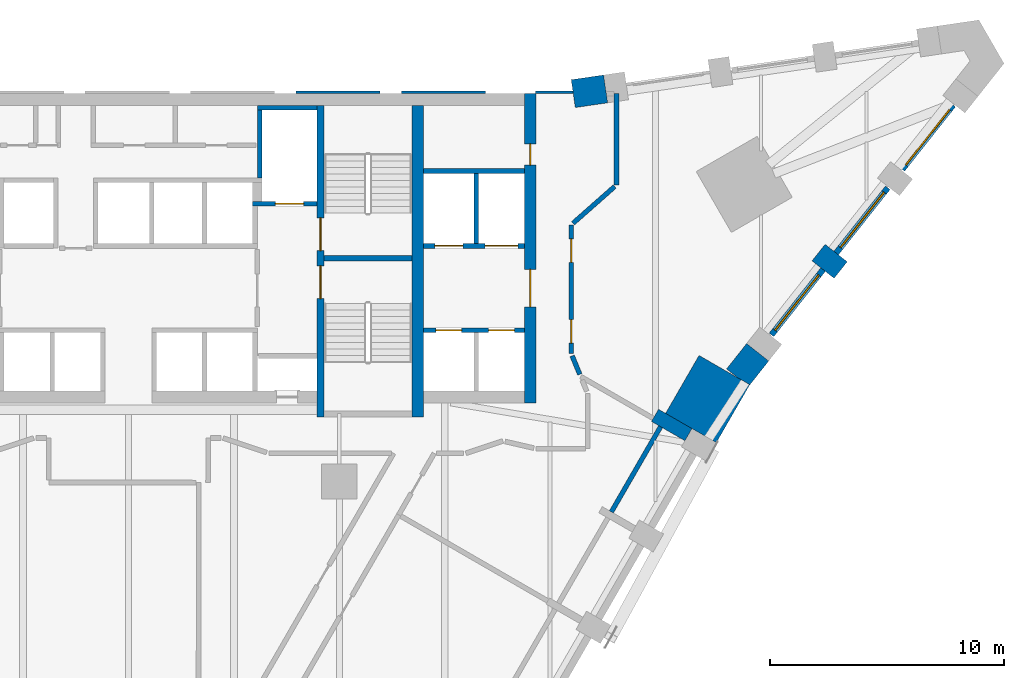
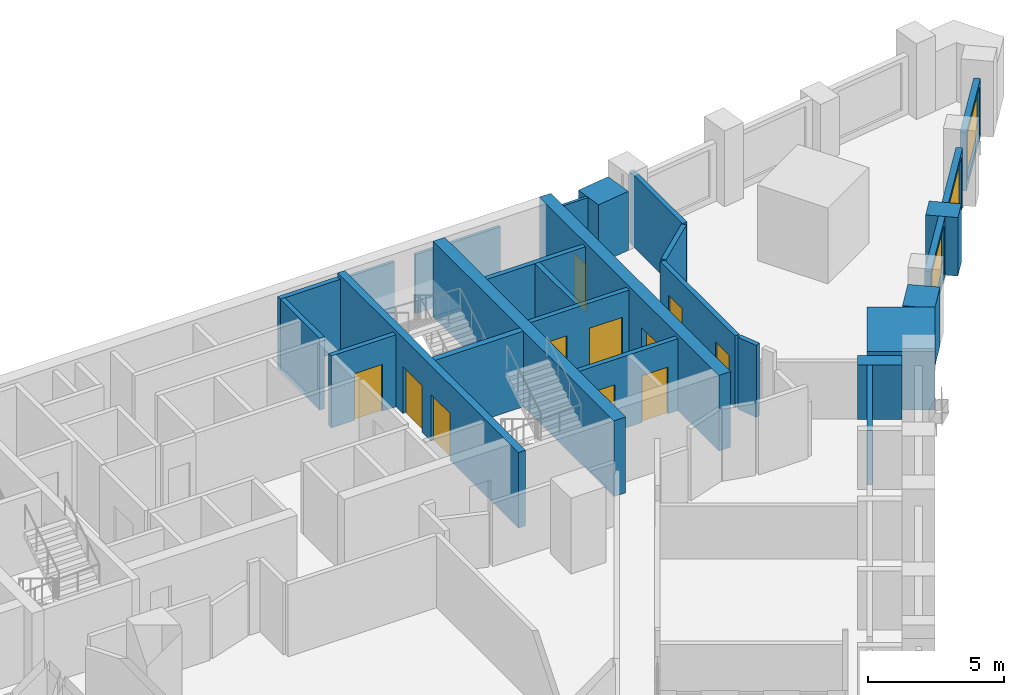
# One storey, part 8 of 10: 27 walls, 11 doors, 3 windows, 14 openings.
"""IFC4 building model written with IfcOpenShell, lengths in metres."""

from ifc_helpers import new_model, si_unit, direction, frame, frame_2d, origin, place, context, subcontext, project, spatial, polyline, rectangle, outline, extrude, material, layer, layer_set, type_object, element, fill, save


model = new_model("IFC4")

# Units and contexts
model_context = context("Model", 3, precision=1e-05, world=origin(), true_north=direction((0.0, 1.0)))
body_context = subcontext(model_context, "Body", "Model", "MODEL_VIEW")
ifc_project = project(units=[si_unit("LENGTHUNIT", "METRE"), si_unit("AREAUNIT", "SQUARE_METRE"), si_unit("VOLUMEUNIT", "CUBIC_METRE"), si_unit("PLANEANGLEUNIT", "RADIAN"), si_unit("MASSUNIT", "GRAM", prefix="KILO")], contexts=[model_context])

# Site, building, storey
site_placement = place(None, origin())
site = spatial("IfcSite", under=ifc_project, at=site_placement, CompositionType="ELEMENT")
building_placement = place(site_placement, origin())
building = spatial("IfcBuilding", under=site, at=building_placement, Name="Calabash Gate Tower", CompositionType="ELEMENT")
storey_placement = place(building_placement, frame((0.0, 0.0, 91.800048828125)))
storey = spatial("IfcBuildingStorey", under=building, at=storey_placement, Name="L19", CompositionType="ELEMENT", Elevation=91.800048828125)

# Walls
ifc_material_1 = material(Name="Terracotta brick masonry, exposed face", Category="masonry")
ifc_layer_1 = layer(ifc_material_1, 2.5)
ifc_layer_set_1 = layer_set([ifc_layer_1], Name="Brick corner mass wall 2500")
wall_type_1 = type_object("IfcWallType", Name="Brick corner mass wall 2500", PredefinedType="SOLIDWALL", material=ifc_layer_set_1)
wall_1_placement = place(storey_placement, origin())
element("IfcWall", 1, at=wall_1_placement, inside=storey, type_object=wall_type_1, Name="Brick corner pier S05 2", PredefinedType="SOLIDWALL", context=body_context, shape_type="SweptSolid", body=[
    extrude(outline(polyline([(22.927001953125, 5.405517578125), (25.092041015625, 4.155517578125), (26.51953125, 6.628173828125), (24.3544921875, 7.878173828125), (22.927001953125, 5.405517578125)])), origin(), (0.0, 0.0, 1.0), 2.6298828125),
])
ifc_material_2 = material(Name="Terracotta brick masonry, exposed face", Category="masonry")
ifc_layer_2 = layer(ifc_material_2, 1.199951171875)
ifc_layer_set_2 = layer_set([ifc_layer_2], Name="Brick end wall 1200")
wall_type_2 = type_object("IfcWallType", Name="Brick end wall 1200", PredefinedType="SOLIDWALL", material=ifc_layer_set_2)
wall_2_placement = place(storey_placement, frame((30.398193359375, 11.5224609375, 0.0), z_axis=(0.0, 0.0, 1.0), x_axis=(-0.784330409431, 0.620343299184, 0.0)))
element("IfcWall", 2, at=wall_2_placement, inside=storey, type_object=wall_type_2, Name="Brick pier S05 wedge3.1", PredefinedType="SOLIDWALL", context=body_context, shape_type="SweptSolid", body=[
    extrude(rectangle(XDim=1.199951171875, YDim=0.89990234375, at=frame_2d((0.60009765625, 0.0))), origin(), (0.0, 0.0, 1.0), 2.6298828125),
])
wall_3_placement = place(storey_placement, origin())
element("IfcWall", 3, at=wall_3_placement, inside=storey, type_object=wall_type_2, Name="Brick end wall S05 1", PredefinedType="SOLIDWALL", context=body_context, shape_type="SweptSolid", body=[
    extrude(outline(polyline([(26.386474609375, 8.38427734375), (25.529296875, 7.30029296875), (26.0, 6.92822265625), (26.51953125, 6.628173828125), (26.497802734375, 6.59033203125), (27.32763671875, 7.639892578125), (26.386474609375, 8.38427734375)])), origin(), (0.0, 0.0, 1.0), 2.6298828125),
])
wall_4_placement = place(storey_placement, frame((18.98583984375, 19.050537109375, 0.0), z_axis=(0.0, 0.0, 1.0), x_axis=(0.989435994601, 0.144970385211, 0.0)))
element("IfcWall", 4, at=wall_4_placement, inside=storey, type_object=wall_type_2, Name="Brick end wall S05 3", PredefinedType="SOLIDWALL", context=body_context, shape_type="SweptSolid", body=[
    extrude(rectangle(XDim=1.39599609375, YDim=1.199951171875, at=frame_2d((0.697998046875, 0.0))), origin(), (0.0, 0.0, 1.0), 2.64990234375),
])
ifc_material_3 = material(Name="Terracotta brick masonry, exposed face", Category="masonry")
ifc_layer_3 = layer(ifc_material_3, 0.300048828125)
ifc_layer_set_3 = layer_set([ifc_layer_3], Name="Brick loggia cheek wall 300")
wall_type_3 = type_object("IfcWallType", Name="Brick loggia cheek wall 300", PredefinedType="SOLIDWALL", material=ifc_layer_set_3)
wall_5_placement = place(storey_placement, frame((22.473876953125, 5.32080078125, 0.0), z_axis=(0.0, 0.0, 1.0), x_axis=(0.866040211805, -0.499974350878, 0.0)))
element("IfcWall", 5, at=wall_5_placement, inside=storey, type_object=wall_type_3, Name="Loggia cheek S05 SE2.8", PredefinedType="SOLIDWALL", context=body_context, shape_type="SweptSolid", body=[
    extrude(rectangle(XDim=1.64990234375, YDim=0.60009765625, at=frame_2d((0.824951171875, 0.0))), origin(), (0.0, 0.0, 1.0), 2.449951171875),
])
ifc_material_4 = material(Name="Concrete C80/95", Category="concrete")
ifc_layer_4 = layer(ifc_material_4, 0.25)
ifc_layer_set_4 = layer_set([ifc_layer_4], Name="Core wall 250 Concrete C80/95")
wall_type_4 = type_object("IfcWallType", Name="Core wall 250 Concrete C80/95", PredefinedType="SHEAR", material=ifc_layer_set_4)
wall_6_placement = place(storey_placement, frame((8.35009765625, 12.027587890625, 0.0), z_axis=(0.0, 0.0, 1.0), x_axis=(1.0, 0.0, 0.0)))
element("IfcWall", 6, at=wall_6_placement, inside=storey, type_object=wall_type_4, Name="Core wall Z2-MIDE L19", PredefinedType="SHEAR", context=body_context, shape_type="SweptSolid", body=[
    extrude(rectangle(XDim=3.75, YDim=0.25, at=frame_2d((1.875, 0.0))), origin(), (0.0, 0.0, 1.0), 3.39990234375),
])

# Wall, openings, doors
ifc_material_5 = material(Name="Concrete C80/95", Category="concrete")
ifc_layer_5 = layer(ifc_material_5, 0.300048828125)
ifc_layer_set_5 = layer_set([ifc_layer_5], Name="Core wall 300 Concrete C80/95")
wall_type_5 = type_object("IfcWallType", Name="Core wall 300 Concrete C80/95", PredefinedType="SHEAR", material=ifc_layer_set_5)
wall_7_placement = place(storey_placement, frame((8.199951171875, 5.252685546875, 0.0), z_axis=(0.0, 0.0, 1.0), x_axis=(0.0, 1.0, 0.0)))
wall_7 = element("IfcWall", 7, at=wall_7_placement, inside=storey, type_object=wall_type_5, Name="Core wall Z2-PARTE L19", PredefinedType="SHEAR", context=body_context, shape_type="SweptSolid", body=[
    extrude(rectangle(XDim=13.2998046875, YDim=0.300048828125, at=frame_2d((6.64990234375, 0.0))), origin(), (0.0, 0.0, 1.0), 3.39990234375),
])
opening_1_placement = place(wall_7_placement, frame((7.10009765625, 0.0, 0.0)))
opening_1 = element("IfcOpeningElement", 8, at=opening_1_placement, cuts=wall_7, Name="Opening H5-016", PredefinedType="OPENING", context=body_context, shape_type="SweptSolid", body=[
    extrude(rectangle(XDim=1.39990234375, YDim=2.10009765625, at=frame_2d((0.699951171875, 1.050048828125))), frame((0.0, 0.159912109375, 0.0), z_axis=(0.0, -1.0, 0.0), x_axis=(1.0, 0.0, 0.0)), (0.0, 0.0, 1.0), 0.320068359375),
])
opening_2_placement = place(wall_7_placement, frame((5.050048828125, 0.0, 0.0)))
opening_2 = element("IfcOpeningElement", 9, at=opening_2_placement, cuts=wall_7, Name="Opening H5-017", PredefinedType="OPENING", context=body_context, shape_type="SweptSolid", body=[
    extrude(rectangle(XDim=1.39990234375, YDim=2.10009765625, at=frame_2d((0.699951171875, 1.050048828125))), frame((0.0, 0.159912109375, 0.0), z_axis=(0.0, -1.0, 0.0), x_axis=(1.0, 0.0, 0.0)), (0.0, 0.0, 1.0), 0.320068359375),
])
ifc_material_6 = material(Name="Steel fire door set with fire-resisting glazing", Category="steel")
door_type_1 = type_object("IfcDoorType", Name="Fire door D05 1400x2100 FD90", OperationType="NOTDEFINED", PredefinedType="DOOR", material=ifc_material_6)
door_1_placement = place(opening_1_placement, origin())
door_1 = element("IfcDoor", 10, at=door_1_placement, inside=storey, type_object=door_type_1, Name="Exit stair door ST3", OperationType="SINGLE_SWING_RIGHT", OverallHeight=2.10009765625, OverallWidth=1.39990234375, PredefinedType="DOOR", context=body_context, shape_type="SweptSolid", body=[
    extrude(rectangle(XDim=1.39990234375, YDim=2.10009765625, at=frame_2d((0.699951171875, 1.050048828125))), frame((0.0, 0.02490234375, 0.0), z_axis=(0.0, -1.0, 0.0), x_axis=(1.0, 0.0, 0.0)), (0.0, 0.0, 1.0), 0.050048828125),
])
fill(opening_1, door_1)
door_2_placement = place(opening_2_placement, origin())
door_2 = element("IfcDoor", 11, at=door_2_placement, inside=storey, type_object=door_type_1, Name="Exit stair door ST4", OperationType="SINGLE_SWING_LEFT", OverallHeight=2.10009765625, OverallWidth=1.39990234375, PredefinedType="DOOR", context=body_context, shape_type="SweptSolid", body=[
    extrude(rectangle(XDim=1.39990234375, YDim=2.10009765625, at=frame_2d((0.699951171875, 1.050048828125))), frame((0.0, 0.02490234375, 0.0), z_axis=(0.0, -1.0, 0.0), x_axis=(1.0, 0.0, 0.0)), (0.0, 0.0, 1.0), 0.050048828125),
])
fill(opening_2, door_2)

# Wall
ifc_material_7 = material(Name="Concrete C80/95", Category="concrete")
ifc_layer_6 = layer(ifc_material_7, 0.5)
ifc_layer_set_6 = layer_set([ifc_layer_6], Name="Core wall 500 Concrete C80/95")
wall_type_6 = type_object("IfcWallType", Name="Core wall 500 Concrete C80/95", PredefinedType="SHEAR", material=ifc_layer_set_6)
wall_8_placement = place(storey_placement, frame((12.35009765625, 5.252685546875, 0.0), z_axis=(0.0, 0.0, 1.0), x_axis=(0.0, 1.0, 0.0)))
element("IfcWall", 12, at=wall_8_placement, inside=storey, type_object=wall_type_6, Name="Core wall Z2-COLE L19", PredefinedType="SHEAR", context=body_context, shape_type="SweptSolid", body=[
    extrude(rectangle(XDim=13.2998046875, YDim=0.5, at=frame_2d((6.64990234375, 0.0))), origin(), (0.0, 0.0, 1.0), 3.39990234375),
])

# Wall, openings, doors
wall_9_placement = place(storey_placement, frame((17.14990234375, 5.8525390625, 0.0), z_axis=(0.0, 0.0, 1.0), x_axis=(0.0, 1.0, 0.0)))
wall_9 = element("IfcWall", 13, at=wall_9_placement, inside=storey, type_object=wall_type_6, Name="Core wall Z2-ENDE L19", PredefinedType="SHEAR", context=body_context, shape_type="SweptSolid", body=[
    extrude(rectangle(XDim=13.199951171875, YDim=0.5, at=frame_2d((6.60009765625, 0.0))), origin(), (0.0, 0.0, 1.0), 3.39990234375),
])
opening_3_placement = place(wall_9_placement, frame((4.10009765625, 0.0, 0.0)))
opening_3 = element("IfcOpeningElement", 14, at=opening_3_placement, cuts=wall_9, Name="Opening H5-002", PredefinedType="OPENING", context=body_context, shape_type="SweptSolid", body=[
    extrude(rectangle(XDim=1.60009765625, YDim=2.10009765625, at=frame_2d((0.800048828125, 1.050048828125))), frame((0.0, 0.260009765625, 0.0), z_axis=(0.0, -1.0, 0.0), x_axis=(1.0, 0.0, 0.0)), (0.0, 0.0, 1.0), 0.52001953125),
])
opening_4_placement = place(wall_9_placement, frame((10.14990234375, 0.0, 0.0)))
opening_4 = element("IfcOpeningElement", 15, at=opening_4_placement, cuts=wall_9, Name="Opening H5-001", PredefinedType="OPENING", context=body_context, shape_type="SweptSolid", body=[
    extrude(rectangle(XDim=0.89990234375, YDim=2.10009765625, at=frame_2d((0.449951171875, 1.050048828125))), frame((0.0, 0.260009765625, 0.0), z_axis=(0.0, -1.0, 0.0), x_axis=(1.0, 0.0, 0.0)), (0.0, 0.0, 1.0), 0.52001953125),
])
ifc_material_8 = material(Name="Steel fire door set with fire-resisting glazing", Category="steel")
door_type_2 = type_object("IfcDoorType", Name="Double fire door D08 1600x2100 FD60", OperationType="DOUBLE_DOOR_SINGLE_SWING", PredefinedType="DOOR", material=ifc_material_8)
door_3_placement = place(opening_3_placement, origin())
door_3 = element("IfcDoor", 16, at=door_3_placement, inside=storey, type_object=door_type_2, Name="Low-rise Lift Lobby E door", OperationType="DOUBLE_DOOR_SINGLE_SWING", OverallHeight=2.10009765625, OverallWidth=1.60009765625, PredefinedType="DOOR", context=body_context, shape_type="SweptSolid", body=[
    extrude(rectangle(XDim=1.60009765625, YDim=2.10009765625, at=frame_2d((0.800048828125, 1.050048828125))), frame((0.0, 0.02490234375, 0.0), z_axis=(0.0, -1.0, 0.0), x_axis=(1.0, 0.0, 0.0)), (0.0, 0.0, 1.0), 0.050048828125),
])
fill(opening_3, door_3)
ifc_material_9 = material(Name="Steel fire door set with fire-resisting glazing", Category="steel")
door_type_3 = type_object("IfcDoorType", Name="Fire door D06 900x2100 FD60", OperationType="NOTDEFINED", PredefinedType="DOOR", material=ifc_material_9)
door_4_placement = place(opening_4_placement, origin())
door_4 = element("IfcDoor", 17, at=door_4_placement, inside=storey, type_object=door_type_3, Name="Linen Store door", OperationType="SINGLE_SWING_LEFT", OverallHeight=2.10009765625, OverallWidth=0.89990234375, PredefinedType="DOOR", context=body_context, shape_type="SweptSolid", body=[
    extrude(rectangle(XDim=0.89990234375, YDim=2.10009765625, at=frame_2d((0.449951171875, 1.050048828125))), frame((0.0, 0.02490234375, 0.0), z_axis=(0.0, -1.0, 0.0), x_axis=(1.0, 0.0, 0.0)), (0.0, 0.0, 1.0), 0.050048828125),
])
fill(opening_4, door_4)

# Wall
ifc_material_10 = material(Name="Gypsum board on steel studs, mineral wool", Category="steel")
ifc_layer_7 = layer(ifc_material_10, 0.199951171875)
ifc_layer_set_7 = layer_set([ifc_layer_7], Name="Partition 200 gypsum board EI 60")
wall_type_7 = type_object("IfcWallType", Name="Partition 200 gypsum board EI 60", PredefinedType="PARTITIONING", material=ifc_layer_set_7)
wall_10_placement = place(storey_placement, frame((18.938720703125, 7.860107421875, 0.0), z_axis=(0.0, 0.0, 1.0), x_axis=(0.382057312896, -0.924138631193, 0.0)))
element("IfcWall", 18, at=wall_10_placement, inside=storey, type_object=wall_type_7, Name="Partition", PredefinedType="PARTITIONING", context=body_context, shape_type="SweptSolid", body=[
    extrude(rectangle(XDim=0.854248046875, YDim=0.199951171875, at=frame_2d((0.42724609375, 0.0))), origin(), (0.0, 0.0, 1.0), 3.22998046875),
])

# Wall, openings, doors
wall_11_placement = place(storey_placement, frame((18.900390625, 7.95263671875, 0.0), z_axis=(0.0, 0.0, 1.0), x_axis=(0.0, 1.0, 0.0)))
wall_11 = element("IfcWall", 19, at=wall_11_placement, inside=storey, type_object=wall_type_7, Name="Partition", PredefinedType="PARTITIONING", context=body_context, shape_type="SweptSolid", body=[
    extrude(rectangle(XDim=5.499755859375, YDim=0.199951171875, at=frame_2d((2.75, 0.0))), origin(), (0.0, 0.0, 1.0), 3.22998046875),
])
opening_5_placement = place(wall_11_placement, frame((3.8994140625, 0.0, 0.0)))
opening_5 = element("IfcOpeningElement", 20, at=opening_5_placement, cuts=wall_11, Name="Opening 19-21-022", PredefinedType="OPENING", context=body_context, shape_type="SweptSolid", body=[
    extrude(rectangle(XDim=1.0, YDim=2.10009765625, at=frame_2d((0.5, 1.050048828125))), frame((0.0, 0.10986328125, 0.0), z_axis=(0.0, -1.0, 0.0), x_axis=(1.0, 0.0, 0.0)), (0.0, 0.0, 1.0), 0.219970703125),
])
opening_6_placement = place(wall_11_placement, frame((0.4501953125, 0.0, 0.0)))
opening_6 = element("IfcOpeningElement", 21, at=opening_6_placement, cuts=wall_11, Name="Opening 19-21-023", PredefinedType="OPENING", context=body_context, shape_type="SweptSolid", body=[
    extrude(rectangle(XDim=1.0, YDim=2.10009765625, at=frame_2d((0.5, 1.050048828125))), frame((0.0, 0.10986328125, 0.0), z_axis=(0.0, -1.0, 0.0), x_axis=(1.0, 0.0, 0.0)), (0.0, 0.0, 1.0), 0.219970703125),
])
ifc_material_11 = material(Name="Steel fire door set with fire-resisting glazing", Category="steel")
door_type_4 = type_object("IfcDoorType", Name="LD2 Meeting room door 1000x2100", OperationType="NOTDEFINED", PredefinedType="DOOR", material=ifc_material_11)
door_5_placement = place(opening_5_placement, origin())
door_5 = element("IfcDoor", 22, at=door_5_placement, inside=storey, type_object=door_type_4, Name="Meeting room door", OperationType="SINGLE_SWING_RIGHT", OverallHeight=2.10009765625, OverallWidth=1.0, PredefinedType="DOOR", context=body_context, shape_type="SweptSolid", body=[
    extrude(rectangle(XDim=1.0, YDim=2.10009765625, at=frame_2d((0.5, 1.050048828125))), frame((0.0, 0.02490234375, 0.0), z_axis=(0.0, -1.0, 0.0), x_axis=(1.0, 0.0, 0.0)), (0.0, 0.0, 1.0), 0.050048828125),
])
fill(opening_5, door_5)
door_6_placement = place(opening_6_placement, origin())
door_6 = element("IfcDoor", 23, at=door_6_placement, inside=storey, type_object=door_type_4, Name="Meeting room door", OperationType="SINGLE_SWING_LEFT", OverallHeight=2.10009765625, OverallWidth=1.0, PredefinedType="DOOR", context=body_context, shape_type="SweptSolid", body=[
    extrude(rectangle(XDim=1.0, YDim=2.10009765625, at=frame_2d((0.5, 1.050048828125))), frame((0.0, 0.02490234375, 0.0), z_axis=(0.0, -1.0, 0.0), x_axis=(1.0, 0.0, 0.0)), (0.0, 0.0, 1.0), 0.050048828125),
])
fill(opening_6, door_6)

# Walls
wall_12_placement = place(storey_placement, frame((18.9755859375, 13.5185546875, 0.0), z_axis=(0.0, 0.0, 1.0), x_axis=(0.749825828818, 0.661635266924, 0.0)))
element("IfcWall", 24, at=wall_12_placement, inside=storey, type_object=wall_type_7, Name="Partition", PredefinedType="PARTITIONING", context=body_context, shape_type="SweptSolid", body=[
    extrude(rectangle(XDim=2.36962890625, YDim=0.199951171875, at=frame_2d((1.184814453125, 0.0))), origin(), (0.0, 0.0, 1.0), 3.22998046875),
])
wall_13_placement = place(storey_placement, frame((20.827392578125, 19.052734375, 0.0), z_axis=(0.0, 0.0, 1.0), x_axis=(0.0, -1.0, 0.0)))
element("IfcWall", 25, at=wall_13_placement, inside=storey, type_object=wall_type_7, Name="Partition", PredefinedType="PARTITIONING", context=body_context, shape_type="SweptSolid", body=[
    extrude(rectangle(XDim=3.900146484375, YDim=0.199951171875, at=frame_2d((1.9501953125, 0.0))), origin(), (0.0, 0.0, 1.0), 3.22998046875),
])

# Wall, opening, window
ifc_material_12 = material(Name="Aluminium framed window wall with insulated spandrel", Category="aluminium")
ifc_layer_8 = layer(ifc_material_12, 0.25)
ifc_layer_set_8 = layer_set([ifc_layer_8], Name="Prow window wall 250")
wall_type_8 = type_object("IfcWallType", Name="Prow window wall 250", PredefinedType="ELEMENTEDWALL", material=ifc_layer_set_8)
wall_14_placement = place(storey_placement, frame((27.446533203125, 8.757080078125, 0.0), z_axis=(0.0, 0.0, 1.0), x_axis=(0.620259189042, 0.784396926568, 0.0)))
wall_14 = element("IfcWall", 26, at=wall_14_placement, inside=storey, type_object=wall_type_8, Name="Prow window wall S05 wedge3.1", PredefinedType="ELEMENTEDWALL", context=body_context, shape_type="SweptSolid", body=[
    extrude(rectangle(XDim=3.552001953125, YDim=0.25, at=frame_2d((1.77587890625, 0.0))), origin(), (0.0, 0.0, 1.0), 2.6298828125),
])
opening_7_placement = place(wall_14_placement, frame((0.25, 0.0, 0.300048828125)))
opening_7 = element("IfcOpeningElement", 27, at=opening_7_placement, cuts=wall_14, Name="Opening WP1L-2130", PredefinedType="OPENING", context=body_context, shape_type="SweptSolid", body=[
    extrude(rectangle(XDim=3.0, YDim=2.1298828125, at=frame_2d((1.5, 1.06494140625))), frame((0.0, 0.135009765625, 0.0), z_axis=(0.0, -1.0, 0.0), x_axis=(1.0, 0.0, 0.0)), (0.0, 0.0, 1.0), 0.27001953125),
])
ifc_material_13 = material(Name="Anodised aluminium frame, bronze finish, impact-rated laminated clear glazing", Category="aluminium")
window_type = type_object("IfcWindowType", Name="Window WP1L 3000x2130", PartitioningType="DOUBLE_PANEL_VERTICAL", PredefinedType="WINDOW", material=ifc_material_13)
window_1_placement = place(opening_7_placement, origin())
window_1 = element("IfcWindow", 28, at=window_1_placement, inside=storey, type_object=window_type, Name="Prow window WP1L S05 wedge3.1", OverallHeight=2.1298828125, OverallWidth=3.0, PartitioningType="SINGLE_PANEL", PredefinedType="WINDOW", context=body_context, shape_type="SweptSolid", body=[
    extrude(rectangle(XDim=3.0, YDim=2.1298828125, at=frame_2d((1.5, 1.06494140625))), frame((0.0, 0.030029296875, 0.0), z_axis=(0.0, -1.0, 0.0), x_axis=(1.0, 0.0, 0.0)), (0.0, 0.0, 1.0), 0.06005859375),
])
fill(opening_7, window_1)

wall_15_placement = place(storey_placement, frame((30.20556640625, 12.24609375, 0.0), z_axis=(0.0, 0.0, 1.0), x_axis=(0.620334919108, 0.784337037335, 0.0)))
wall_15 = element("IfcWall", 29, at=wall_15_placement, inside=storey, type_object=wall_type_8, Name="Prow window wall S05 wedge3.2", PredefinedType="ELEMENTEDWALL", context=body_context, shape_type="SweptSolid", body=[
    extrude(rectangle(XDim=3.552001953125, YDim=0.25, at=frame_2d((1.77587890625, 0.0))), origin(), (0.0, 0.0, 1.0), 2.6298828125),
])
opening_8_placement = place(wall_15_placement, frame((0.302001953125, 0.0, 0.300048828125)))
opening_8 = element("IfcOpeningElement", 30, at=opening_8_placement, cuts=wall_15, Name="Opening WP1L-2130", PredefinedType="OPENING", context=body_context, shape_type="SweptSolid", body=[
    extrude(rectangle(XDim=3.0, YDim=2.1298828125, at=frame_2d((1.5, 1.06494140625))), frame((0.0, 0.135009765625, 0.0), z_axis=(0.0, -1.0, 0.0), x_axis=(1.0, 0.0, 0.0)), (0.0, 0.0, 1.0), 0.27001953125),
])
window_2_placement = place(opening_8_placement, origin())
window_2 = element("IfcWindow", 31, at=window_2_placement, inside=storey, type_object=window_type, Name="Prow window WP1L S05 wedge3.2", OverallHeight=2.1298828125, OverallWidth=3.0, PartitioningType="SINGLE_PANEL", PredefinedType="WINDOW", context=body_context, shape_type="SweptSolid", body=[
    extrude(rectangle(XDim=3.0, YDim=2.1298828125, at=frame_2d((1.5, 1.06494140625))), frame((0.0, 0.030029296875, 0.0), z_axis=(0.0, -1.0, 0.0), x_axis=(1.0, 0.0, 0.0)), (0.0, 0.0, 1.0), 0.06005859375),
])
fill(opening_8, window_2)

wall_16_placement = place(storey_placement, frame((33.029052734375, 15.81640625, 0.0), z_axis=(0.0, 0.0, 1.0), x_axis=(0.620304451578, 0.78436113325, 0.0)))
wall_16 = element("IfcWall", 32, at=wall_16_placement, inside=storey, type_object=wall_type_8, Name="Prow window wall S05 wedge3.3", PredefinedType="ELEMENTEDWALL", context=body_context, shape_type="SweptSolid", body=[
    extrude(rectangle(XDim=3.500244140625, YDim=0.25, at=frame_2d((1.75, 0.0))), origin(), (0.0, 0.0, 1.0), 2.6298828125),
])
opening_9_placement = place(wall_16_placement, frame((0.25, 0.0, 0.300048828125)))
opening_9 = element("IfcOpeningElement", 33, at=opening_9_placement, cuts=wall_16, Name="Opening WP1L-2130", PredefinedType="OPENING", context=body_context, shape_type="SweptSolid", body=[
    extrude(rectangle(XDim=3.0, YDim=2.1298828125, at=frame_2d((1.5, 1.06494140625))), frame((0.0, 0.135009765625, 0.0), z_axis=(0.0, -1.0, 0.0), x_axis=(1.0, 0.0, 0.0)), (0.0, 0.0, 1.0), 0.27001953125),
])
window_3_placement = place(opening_9_placement, origin())
window_3 = element("IfcWindow", 34, at=window_3_placement, inside=storey, type_object=window_type, Name="Prow window WP1L S05 wedge3.3", OverallHeight=2.1298828125, OverallWidth=3.0, PartitioningType="SINGLE_PANEL", PredefinedType="WINDOW", context=body_context, shape_type="SweptSolid", body=[
    extrude(rectangle(XDim=3.0, YDim=2.1298828125, at=frame_2d((1.5, 1.06494140625))), frame((0.0, 0.030029296875, 0.0), z_axis=(0.0, -1.0, 0.0), x_axis=(1.0, 0.0, 0.0)), (0.0, 0.0, 1.0), 0.06005859375),
])
fill(opening_9, window_3)

# Wall, openings, doors
ifc_material_14 = material(Name="Concrete C40/50", Category="concrete")
ifc_layer_9 = layer(ifc_material_14, 0.199951171875)
ifc_layer_set_9 = layer_set([ifc_layer_9], Name="Shaft wall 200 Concrete C40/50")
wall_type_9 = type_object("IfcWallType", Name="Shaft wall 200 Concrete C40/50", PredefinedType="SOLIDWALL", material=ifc_layer_set_9)
wall_17_placement = place(storey_placement, frame((12.60009765625, 8.95263671875, 0.0), z_axis=(0.0, 0.0, 1.0), x_axis=(1.0, 0.0, 0.0)))
wall_17 = element("IfcWall", 35, at=wall_17_placement, inside=storey, type_object=wall_type_9, Name="Shaft wall", PredefinedType="SOLIDWALL", context=body_context, shape_type="SweptSolid", body=[
    extrude(rectangle(XDim=4.2998046875, YDim=0.199951171875, at=frame_2d((2.14990234375, 0.0))), origin(), (0.0, 0.0, 1.0), 3.22998046875),
])
opening_10_placement = place(wall_17_placement, frame((0.52490234375, 0.0, 0.0)))
opening_10 = element("IfcOpeningElement", 36, at=opening_10_placement, cuts=wall_17, Name="Opening LD-LR5", PredefinedType="OPENING", context=body_context, shape_type="SweptSolid", body=[
    extrude(rectangle(XDim=1.10009765625, YDim=2.10009765625, at=frame_2d((0.550048828125, 1.050048828125))), frame((0.0, 0.10986328125, 0.0), z_axis=(0.0, -1.0, 0.0), x_axis=(1.0, 0.0, 0.0)), (0.0, 0.0, 1.0), 0.219970703125),
])
opening_11_placement = place(wall_17_placement, frame((2.77490234375, 0.0, 0.0)))
opening_11 = element("IfcOpeningElement", 37, at=opening_11_placement, cuts=wall_17, Name="Opening LD-LR6", PredefinedType="OPENING", context=body_context, shape_type="SweptSolid", body=[
    extrude(rectangle(XDim=1.10009765625, YDim=2.10009765625, at=frame_2d((0.550048828125, 1.050048828125))), frame((0.0, 0.10986328125, 0.0), z_axis=(0.0, -1.0, 0.0), x_axis=(1.0, 0.0, 0.0)), (0.0, 0.0, 1.0), 0.219970703125),
])
ifc_material_15 = material(Name="Stainless steel sliding door leaves", Category="steel")
door_type_5 = type_object("IfcDoorType", Name="Lift landing door LS1 1100x2100 FD90", OperationType="DOUBLE_DOOR_SLIDING", PredefinedType="DOOR", material=ifc_material_15)
door_7_placement = place(opening_10_placement, origin())
door_7 = element("IfcDoor", 38, at=door_7_placement, inside=storey, type_object=door_type_5, Name="Lift landing door LR5", OperationType="DOUBLE_DOOR_SLIDING", OverallHeight=2.10009765625, OverallWidth=1.10009765625, PredefinedType="DOOR", context=body_context, shape_type="SweptSolid", body=[
    extrude(rectangle(XDim=1.10009765625, YDim=2.10009765625, at=frame_2d((0.550048828125, 1.050048828125))), frame((0.0, 0.02490234375, 0.0), z_axis=(0.0, -1.0, 0.0), x_axis=(1.0, 0.0, 0.0)), (0.0, 0.0, 1.0), 0.050048828125),
])
fill(opening_10, door_7)
door_8_placement = place(opening_11_placement, origin())
door_8 = element("IfcDoor", 39, at=door_8_placement, inside=storey, type_object=door_type_5, Name="Lift landing door LR6", OperationType="DOUBLE_DOOR_SLIDING", OverallHeight=2.10009765625, OverallWidth=1.10009765625, PredefinedType="DOOR", context=body_context, shape_type="SweptSolid", body=[
    extrude(rectangle(XDim=1.10009765625, YDim=2.10009765625, at=frame_2d((0.550048828125, 1.050048828125))), frame((0.0, 0.02490234375, 0.0), z_axis=(0.0, -1.0, 0.0), x_axis=(1.0, 0.0, 0.0)), (0.0, 0.0, 1.0), 0.050048828125),
])
fill(opening_11, door_8)

wall_18_placement = place(storey_placement, frame((12.60009765625, 12.552490234375, 0.0), z_axis=(0.0, 0.0, 1.0), x_axis=(1.0, 0.0, 0.0)))
wall_18 = element("IfcWall", 40, at=wall_18_placement, inside=storey, type_object=wall_type_9, Name="Shaft wall", PredefinedType="SOLIDWALL", context=body_context, shape_type="SweptSolid", body=[
    extrude(rectangle(XDim=4.2998046875, YDim=0.199951171875, at=frame_2d((2.14990234375, 0.0))), origin(), (0.0, 0.0, 1.0), 3.22998046875),
])
opening_12_placement = place(wall_18_placement, frame((0.47509765625, 0.0, 0.0)))
opening_12 = element("IfcOpeningElement", 41, at=opening_12_placement, cuts=wall_18, Name="Opening LD-SL1", PredefinedType="OPENING", context=body_context, shape_type="SweptSolid", body=[
    extrude(rectangle(XDim=1.199951171875, YDim=2.10009765625, at=frame_2d((0.60009765625, 1.050048828125))), frame((0.0, 0.10986328125, 0.0), z_axis=(0.0, -1.0, 0.0), x_axis=(1.0, 0.0, 0.0)), (0.0, 0.0, 1.0), 0.219970703125),
])
opening_13_placement = place(wall_18_placement, frame((2.625, 0.0, 0.0)))
opening_13 = element("IfcOpeningElement", 42, at=opening_13_placement, cuts=wall_18, Name="Opening LD-GL1", PredefinedType="OPENING", context=body_context, shape_type="SweptSolid", body=[
    extrude(rectangle(XDim=1.39990234375, YDim=2.10009765625, at=frame_2d((0.699951171875, 1.050048828125))), frame((0.0, 0.10986328125, 0.0), z_axis=(0.0, -1.0, 0.0), x_axis=(1.0, 0.0, 0.0)), (0.0, 0.0, 1.0), 0.219970703125),
])
ifc_material_16 = material(Name="Stainless steel sliding door leaves", Category="steel")
door_type_6 = type_object("IfcDoorType", Name="Lift landing door LS3 1200x2100 FD90", OperationType="DOUBLE_DOOR_SLIDING", PredefinedType="DOOR", material=ifc_material_16)
door_9_placement = place(opening_12_placement, origin())
door_9 = element("IfcDoor", 43, at=door_9_placement, inside=storey, type_object=door_type_6, Name="Lift landing door SL1", OperationType="DOUBLE_DOOR_SLIDING", OverallHeight=2.10009765625, OverallWidth=1.199951171875, PredefinedType="DOOR", context=body_context, shape_type="SweptSolid", body=[
    extrude(rectangle(XDim=1.199951171875, YDim=2.10009765625, at=frame_2d((0.60009765625, 1.050048828125))), frame((0.0, 0.02490234375, 0.0), z_axis=(0.0, -1.0, 0.0), x_axis=(1.0, 0.0, 0.0)), (0.0, 0.0, 1.0), 0.050048828125),
])
fill(opening_12, door_9)
ifc_material_17 = material(Name="Stainless steel sliding door leaves", Category="steel")
door_type_7 = type_object("IfcDoorType", Name="Lift landing door LS4 1400x2100 FD90", OperationType="DOUBLE_DOOR_SLIDING", PredefinedType="DOOR", material=ifc_material_17)
door_10_placement = place(opening_13_placement, origin())
door_10 = element("IfcDoor", 44, at=door_10_placement, inside=storey, type_object=door_type_7, Name="Lift landing door GL1", OperationType="DOUBLE_DOOR_SLIDING", OverallHeight=2.10009765625, OverallWidth=1.39990234375, PredefinedType="DOOR", context=body_context, shape_type="SweptSolid", body=[
    extrude(rectangle(XDim=1.39990234375, YDim=2.10009765625, at=frame_2d((0.699951171875, 1.050048828125))), frame((0.0, 0.02490234375, 0.0), z_axis=(0.0, -1.0, 0.0), x_axis=(1.0, 0.0, 0.0)), (0.0, 0.0, 1.0), 0.050048828125),
])
fill(opening_13, door_10)

# Wall
wall_19_placement = place(storey_placement, frame((14.85009765625, 12.652587890625, 0.0), z_axis=(0.0, 0.0, 1.0), x_axis=(0.0, 1.0, 0.0)))
element("IfcWall", 45, at=wall_19_placement, inside=storey, type_object=wall_type_9, Name="Shaft wall", PredefinedType="SOLIDWALL", context=body_context, shape_type="SweptSolid", body=[
    extrude(rectangle(XDim=3.0, YDim=0.199951171875, at=frame_2d((1.5, 0.0))), origin(), (0.0, 0.0, 1.0), 3.22998046875),
])

# Wall, opening, door
wall_20_placement = place(storey_placement, frame((5.300048828125, 14.3525390625, 0.0), z_axis=(0.0, 0.0, 1.0), x_axis=(1.0, 0.0, 0.0)))
wall_20 = element("IfcWall", 46, at=wall_20_placement, inside=storey, type_object=wall_type_9, Name="Shaft wall", PredefinedType="SOLIDWALL", context=body_context, shape_type="SweptSolid", body=[
    extrude(rectangle(XDim=2.75, YDim=0.199951171875, at=frame_2d((1.375, 0.0))), origin(), (0.0, 0.0, 1.0), 3.22998046875),
])
opening_14_placement = place(wall_20_placement, frame((0.97509765625, 0.0, 0.0)))
opening_14 = element("IfcOpeningElement", 47, at=opening_14_placement, cuts=wall_20, Name="Opening LD-FF2", PredefinedType="OPENING", context=body_context, shape_type="SweptSolid", body=[
    extrude(rectangle(XDim=1.199951171875, YDim=2.10009765625, at=frame_2d((0.60009765625, 1.050048828125))), frame((0.0, 0.10986328125, 0.0), z_axis=(0.0, -1.0, 0.0), x_axis=(1.0, 0.0, 0.0)), (0.0, 0.0, 1.0), 0.219970703125),
])
door_11_placement = place(opening_14_placement, origin())
door_11 = element("IfcDoor", 48, at=door_11_placement, inside=storey, type_object=door_type_6, Name="Lift landing door FF2", OperationType="DOUBLE_DOOR_SLIDING", OverallHeight=2.10009765625, OverallWidth=1.199951171875, PredefinedType="DOOR", context=body_context, shape_type="SweptSolid", body=[
    extrude(rectangle(XDim=1.199951171875, YDim=2.10009765625, at=frame_2d((0.60009765625, 1.050048828125))), frame((0.0, 0.02490234375, 0.0), z_axis=(0.0, -1.0, 0.0), x_axis=(1.0, 0.0, 0.0)), (0.0, 0.0, 1.0), 0.050048828125),
])
fill(opening_14, door_11)

# Walls
wall_21_placement = place(storey_placement, frame((5.60009765625, 15.45263671875, 0.0), z_axis=(0.0, 0.0, 1.0), x_axis=(0.0, 1.0, 0.0)))
element("IfcWall", 49, at=wall_21_placement, inside=storey, type_object=wall_type_9, Name="Shaft wall", PredefinedType="SOLIDWALL", context=body_context, shape_type="SweptSolid", body=[
    extrude(rectangle(XDim=2.89990234375, YDim=0.199951171875, at=frame_2d((1.449951171875, 0.0))), origin(), (0.0, 0.0, 1.0), 3.22998046875),
])
wall_22_placement = place(storey_placement, frame((12.60009765625, 15.752685546875, 0.0), z_axis=(0.0, 0.0, 1.0), x_axis=(1.0, 0.0, 0.0)))
element("IfcWall", 50, at=wall_22_placement, inside=storey, type_object=wall_type_9, Name="Shaft wall", PredefinedType="SOLIDWALL", context=body_context, shape_type="SweptSolid", body=[
    extrude(rectangle(XDim=4.2998046875, YDim=0.199951171875, at=frame_2d((2.14990234375, 0.0))), origin(), (0.0, 0.0, 1.0), 3.22998046875),
])
wall_23_placement = place(storey_placement, frame((5.5, 18.45263671875, 0.0), z_axis=(0.0, 0.0, 1.0), x_axis=(1.0, 0.0, 0.0)))
element("IfcWall", 51, at=wall_23_placement, inside=storey, type_object=wall_type_9, Name="Shaft wall", PredefinedType="SOLIDWALL", context=body_context, shape_type="SweptSolid", body=[
    extrude(rectangle(XDim=2.550048828125, YDim=0.199951171875, at=frame_2d((1.27490234375, 0.0))), origin(), (0.0, 0.0, 1.0), 3.22998046875),
])
ifc_material_18 = material(Name="Terracotta brick masonry, perforated", Category="masonry")
ifc_layer_10 = layer(ifc_material_18, 0.1201171875)
ifc_layer_set_10 = layer_set([ifc_layer_10], Name="Terracotta jaali cladding A 120")
wall_type_10 = type_object("IfcWallType", Name="Terracotta jaali cladding A 120", PredefinedType="SOLIDWALL", material=ifc_layer_set_10)
wall_24_placement = place(storey_placement, origin())
element("IfcWall", 52, at=wall_24_placement, inside=storey, type_object=wall_type_10, Name="Jaali cladding S05 N6.1", PredefinedType="SOLIDWALL", context=body_context, shape_type="SweptSolid", body=[
    extrude(outline(polyline([(11.64501953125, 19.172607421875), (11.64501953125, 19.052490234375), (15.244873046875, 19.052490234375), (15.244873046875, 19.172607421875), (11.64501953125, 19.172607421875)])), origin(), (0.0, 0.0, 1.0), 2.64990234375),
])
wall_25_placement = place(storey_placement, frame((17.3798828125, 19.112548828125, 0.0), z_axis=(0.0, 0.0, 1.0), x_axis=(1.0, 0.0, 0.0)))
element("IfcWall", 53, at=wall_25_placement, inside=storey, type_object=wall_type_10, Name="Jaali cladding S05 N6.c1", PredefinedType="SOLIDWALL", context=body_context, shape_type="SweptSolid", body=[
    extrude(rectangle(XDim=1.590087890625, YDim=0.1201171875, at=frame_2d((0.794921875, 0.0))), origin(), (0.0, 0.0, 1.0), 2.64990234375),
])
ifc_material_19 = material(Name="Terracotta louvre blades in an aluminium frame", Category="masonry")
ifc_layer_11 = layer(ifc_material_19, 0.1201171875)
ifc_layer_set_11 = layer_set([ifc_layer_11], Name="Terracotta vent louvre cladding 120")
wall_type_11 = type_object("IfcWallType", Name="Terracotta vent louvre cladding 120", PredefinedType="ELEMENTEDWALL", material=ifc_layer_set_11)
wall_26_placement = place(storey_placement, origin())
element("IfcWall", 54, at=wall_26_placement, inside=storey, type_object=wall_type_11, Name="Vent louvre cladding S05 N6.2", PredefinedType="ELEMENTEDWALL", context=body_context, shape_type="SweptSolid", body=[
    extrude(outline(polyline([(7.14501953125, 19.172607421875), (7.14501953125, 19.052490234375), (10.744873046875, 19.052490234375), (10.744873046875, 19.172607421875), (7.14501953125, 19.172607421875)])), origin(), (0.0, 0.0, 1.0), 2.64990234375),
])
ifc_material_20 = material(Name="Aluminium framed window wall with insulated spandrel", Category="aluminium")
ifc_layer_12 = layer(ifc_material_20, 0.199951171875)
ifc_layer_set_12 = layer_set([ifc_layer_12], Name="Window wall 200")
wall_type_12 = type_object("IfcWallType", Name="Window wall 200", PredefinedType="ELEMENTEDWALL", material=ifc_layer_set_12)
wall_27_placement = place(storey_placement, frame((20.613525390625, 1.19873046875, 0.0), z_axis=(0.0, 0.0, 1.0), x_axis=(0.500027713859, 0.866009402589, 0.0)))
element("IfcWall", 55, at=wall_27_placement, inside=storey, type_object=wall_type_12, Name="Window wall S05 SE2.8", PredefinedType="ELEMENTEDWALL", context=body_context, shape_type="SweptSolid", body=[
    extrude(rectangle(XDim=4.199951171875, YDim=0.199951171875, at=frame_2d((2.10009765625, 0.0))), origin(), (0.0, 0.0, 1.0), 2.449951171875),
])

save(model, "model.ifc")
